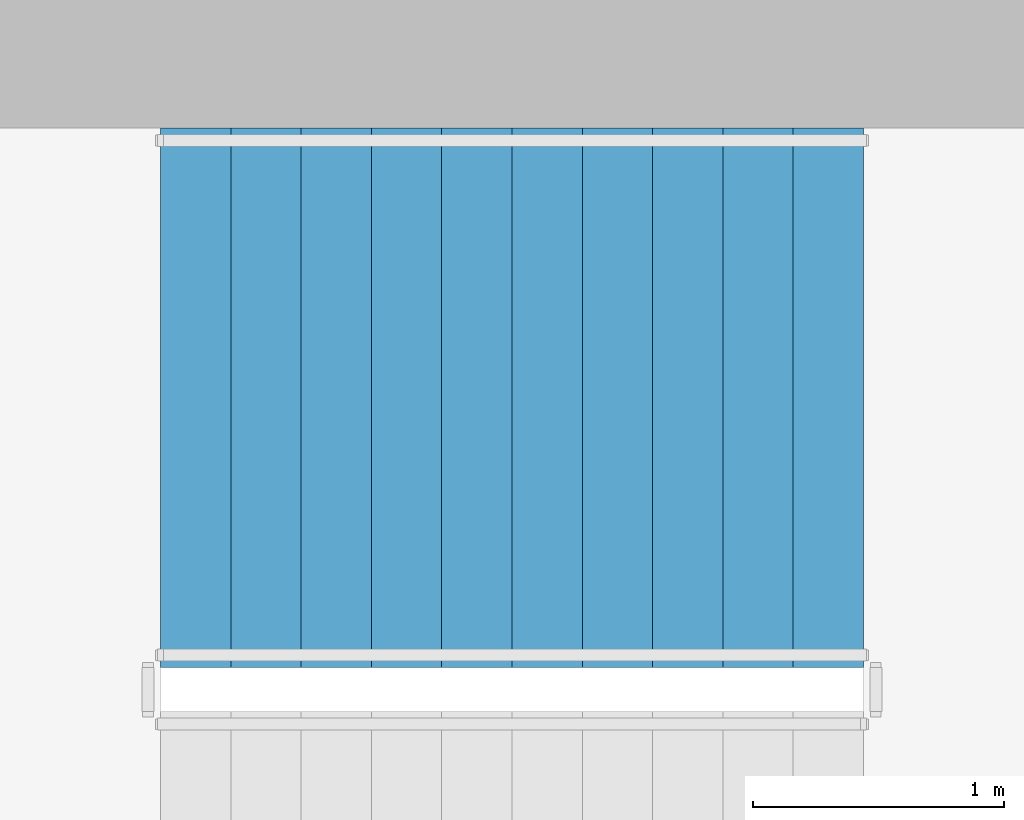
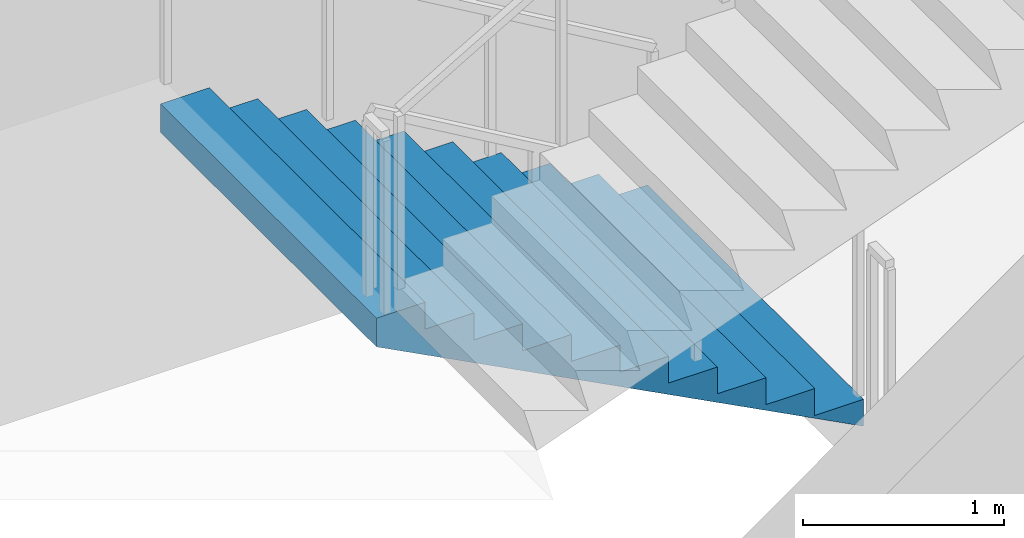
# One storey, part 12 of 20: 1 stair flight, 1 element without a shape of its own.
"""IFC4 building model written with IfcOpenShell, lengths in metres."""

from ifc_helpers import new_model, si_unit, direction, frame, origin, place, context, subcontext, project, spatial, triangles, material, type_object, element, aggregate, save


model = new_model("IFC4")

# Units and contexts
model_context = context("Model", 3, precision=1e-05, world=origin(), true_north=direction((0.0, 1.0)))
body_context = subcontext(model_context, "Body", "Model", "MODEL_VIEW")
ifc_project = project(units=[si_unit("LENGTHUNIT", "METRE"), si_unit("AREAUNIT", "SQUARE_METRE"), si_unit("VOLUMEUNIT", "CUBIC_METRE"), si_unit("PLANEANGLEUNIT", "RADIAN"), si_unit("MASSUNIT", "GRAM", prefix="KILO")], contexts=[model_context])

# Site, building, storey
site_placement = place(None, origin())
site = spatial("IfcSite", under=ifc_project, at=site_placement, CompositionType="ELEMENT")
building_placement = place(site_placement, origin())
building = spatial("IfcBuilding", under=site, at=building_placement, Name="Cypress Arch Tower", CompositionType="ELEMENT")
storey_placement = place(building_placement, frame((0.0, 0.0, 120.300048828125)))
storey = spatial("IfcBuildingStorey", under=building, at=storey_placement, Name="L25", CompositionType="ELEMENT", Elevation=120.300048828125)

# Stair, stair flight
ifc_material_1 = material(Name="Concrete C40/50", Category="concrete")
stair_type = type_object("IfcStairType", Name="Exit stair ES1636-215", PredefinedType="HALF_TURN_STAIR", material=ifc_material_1)
stair_placement = place(storey_placement, origin())
stair = element("IfcStair", 1, at=stair_placement, inside=storey, type_object=stair_type, Name="L25 Exit stair B", PredefinedType="HALF_TURN_STAIR")
ifc_material_2 = material(Name="Concrete C40/50", Category="concrete")
stair_flight_type = type_object("IfcStairFlightType", Name="Exit stair flight ES1636-215", PredefinedType="STRAIGHT", material=ifc_material_2)
stair_flight_placement = place(storey_placement, frame((-22.27490234375, 13.72509765625, 0.0), z_axis=(0.0, 0.0, 1.0), x_axis=(-1.0, 0.0, 0.0)))
stair_flight = element("IfcStairFlight", 2, at=stair_flight_placement, type_object=stair_flight_type, Name="B flight 1", NumberOfRisers=11, NumberOfTreads=10, PredefinedType="STRAIGHT", RiserHeight=0.163636364, TreadLength=0.28, context=body_context, shape_type="Tessellation", body=[
    triangles([(0.0, -1.074951171875, 0.0), (0.000244140625, -1.074951171875, 0.03271484375), (0.00048828125, -1.074951171875, 0.0654296875), (0.00048828125, -1.074951171875, 0.09814453125), (0.000244140625, -1.074951171875, 0.130859375), (0.0, -1.074951171875, 0.16357421875), (0.280029296875, -1.074951171875, 0.16357421875), (0.280029296875, -1.074951171875, 0.327392578125), (0.56005859375, -1.074951171875, 0.327392578125), (0.56005859375, -1.074951171875, 0.490966796875), (0.840087890625, -1.074951171875, 0.490966796875), (0.840087890625, -1.074951171875, 0.654541015625), (1.1201171875, -1.074951171875, 0.654541015625), (1.1201171875, -1.074951171875, 0.818115234375), (1.39990234375, -1.074951171875, 0.818115234375), (1.39990234375, -1.074951171875, 0.98193359375), (1.679931640625, -1.074951171875, 0.98193359375), (1.679931640625, -1.074951171875, 1.1455078125), (1.9599609375, -1.074951171875, 1.1455078125), (1.9599609375, -1.074951171875, 1.30908203125), (2.239990234375, -1.074951171875, 1.30908203125), (2.239990234375, -1.074951171875, 1.47265625), (2.52001953125, -1.074951171875, 1.47265625), (2.52001953125, -1.074951171875, 1.636474609375), (2.800048828125, -1.074951171875, 1.636474609375), (2.7998046875, -1.074951171875, 1.601806640625), (2.799560546875, -1.074951171875, 1.56689453125), (2.799560546875, -1.074951171875, 1.5322265625), (2.7998046875, -1.074951171875, 1.497314453125), (2.800048828125, -1.074951171875, 1.462646484375), (2.800048828125, 1.074951171875, 1.462646484375), (2.7998046875, 1.074951171875, 1.497314453125), (2.799560546875, 1.074951171875, 1.5322265625), (2.799560546875, 1.074951171875, 1.56689453125), (2.7998046875, 1.074951171875, 1.601806640625), (2.800048828125, 1.074951171875, 1.636474609375), (2.52001953125, 1.074951171875, 1.636474609375), (2.52001953125, 1.074951171875, 1.47265625), (2.239990234375, 1.074951171875, 1.47265625), (2.239990234375, 1.074951171875, 1.30908203125), (1.9599609375, 1.074951171875, 1.30908203125), (1.9599609375, 1.074951171875, 1.1455078125), (1.679931640625, 1.074951171875, 1.1455078125), (1.679931640625, 1.074951171875, 0.98193359375), (1.39990234375, 1.074951171875, 0.98193359375), (1.39990234375, 1.074951171875, 0.818115234375), (1.1201171875, 1.074951171875, 0.818115234375), (1.1201171875, 1.074951171875, 0.654541015625), (0.840087890625, 1.074951171875, 0.654541015625), (0.840087890625, 1.074951171875, 0.490966796875), (0.56005859375, 1.074951171875, 0.490966796875), (0.56005859375, 1.074951171875, 0.327392578125), (0.280029296875, 1.074951171875, 0.327392578125), (0.280029296875, 1.074951171875, 0.16357421875), (0.0, 1.074951171875, 0.16357421875), (0.000244140625, 1.074951171875, 0.130859375), (0.00048828125, 1.074951171875, 0.09814453125), (0.00048828125, 1.074951171875, 0.0654296875), (0.000244140625, 1.074951171875, 0.03271484375), (0.0, 1.074951171875, 0.0), (2.7998046875, 0.0, 1.497314453125), (2.800048828125, 0.0, 1.462646484375), (2.799560546875, 0.0, 1.5322265625), (2.799560546875, 0.0, 1.56689453125), (2.7998046875, 0.0, 1.601806640625), (2.800048828125, 0.0, 1.636474609375), (2.52001953125, 0.0, 1.636474609375), (2.52001953125, 0.0, 1.47265625), (2.239990234375, 0.0, 1.47265625), (2.239990234375, 0.0, 1.30908203125), (1.9599609375, 0.0, 1.30908203125), (1.9599609375, 0.0, 1.1455078125), (1.679931640625, 0.0, 1.1455078125), (1.679931640625, 0.0, 0.98193359375), (1.39990234375, 0.0, 0.98193359375), (1.39990234375, 0.0, 0.818115234375), (1.1201171875, 0.0, 0.818115234375), (1.1201171875, 0.0, 0.654541015625), (0.840087890625, 0.0, 0.654541015625), (0.840087890625, 0.0, 0.490966796875), (0.56005859375, 0.0, 0.490966796875), (0.56005859375, 0.0, 0.327392578125), (0.280029296875, 0.0, 0.327392578125), (0.280029296875, 0.0, 0.16357421875), (0.0, 0.0, 0.16357421875), (0.000244140625, 0.0, 0.130859375), (0.00048828125, 0.0, 0.09814453125), (0.00048828125, 0.0, 0.0654296875), (0.000244140625, 0.0, 0.03271484375), (0.0, 0.0, 0.0)], [[30, 29, 24], [29, 28, 24], [28, 27, 24], [27, 26, 24], [26, 25, 24], [17, 16, 15], [9, 8, 7], [15, 14, 13], [23, 22, 21], [21, 20, 19], [19, 18, 17], [13, 12, 11], [11, 10, 9], [6, 5, 7], [5, 4, 7], [4, 3, 7], [3, 2, 7], [2, 1, 7], [30, 24, 23], [30, 23, 21], [30, 21, 19], [30, 19, 17], [30, 17, 15], [30, 15, 13], [30, 13, 11], [30, 11, 9], [30, 9, 7], [30, 7, 1], [31, 37, 32], [32, 37, 33], [33, 37, 34], [34, 37, 35], [35, 37, 36], [44, 46, 45], [52, 54, 53], [46, 48, 47], [38, 40, 39], [40, 42, 41], [42, 44, 43], [48, 50, 49], [50, 52, 51], [55, 54, 56], [56, 54, 57], [57, 54, 58], [58, 54, 59], [59, 54, 60], [31, 38, 37], [31, 40, 38], [31, 42, 40], [31, 44, 42], [31, 46, 44], [31, 48, 46], [31, 50, 48], [31, 52, 50], [31, 54, 52], [31, 60, 54], [62, 61, 29], [62, 29, 30], [31, 32, 61], [31, 61, 62], [61, 63, 28], [61, 28, 29], [32, 33, 63], [32, 63, 61], [63, 64, 27], [63, 27, 28], [33, 34, 64], [33, 64, 63], [64, 65, 26], [64, 26, 27], [34, 35, 65], [34, 65, 64], [65, 66, 25], [65, 25, 26], [35, 36, 66], [35, 66, 65], [66, 67, 24], [66, 24, 25], [36, 37, 67], [36, 67, 66], [67, 68, 23], [67, 23, 24], [37, 38, 68], [37, 68, 67], [68, 69, 22], [68, 22, 23], [38, 39, 69], [38, 69, 68], [69, 70, 21], [69, 21, 22], [39, 40, 70], [39, 70, 69], [70, 71, 20], [70, 20, 21], [40, 41, 71], [40, 71, 70], [71, 72, 19], [71, 19, 20], [41, 42, 72], [41, 72, 71], [72, 73, 18], [72, 18, 19], [42, 43, 73], [42, 73, 72], [73, 74, 17], [73, 17, 18], [43, 44, 74], [43, 74, 73], [74, 75, 16], [74, 16, 17], [44, 45, 75], [44, 75, 74], [75, 76, 15], [75, 15, 16], [45, 46, 76], [45, 76, 75], [76, 77, 14], [76, 14, 15], [46, 47, 77], [46, 77, 76], [77, 78, 13], [77, 13, 14], [47, 48, 78], [47, 78, 77], [78, 79, 12], [78, 12, 13], [48, 49, 79], [48, 79, 78], [79, 80, 11], [79, 11, 12], [49, 50, 80], [49, 80, 79], [80, 81, 10], [80, 10, 11], [50, 51, 81], [50, 81, 80], [81, 82, 9], [81, 9, 10], [51, 52, 82], [51, 82, 81], [82, 83, 8], [82, 8, 9], [52, 53, 83], [52, 83, 82], [83, 84, 7], [83, 7, 8], [53, 54, 84], [53, 84, 83], [84, 85, 6], [84, 6, 7], [54, 55, 85], [54, 85, 84], [85, 86, 5], [85, 5, 6], [55, 56, 86], [55, 86, 85], [86, 87, 4], [86, 4, 5], [56, 57, 87], [56, 87, 86], [87, 88, 3], [87, 3, 4], [57, 58, 88], [57, 88, 87], [88, 89, 2], [88, 2, 3], [58, 59, 89], [58, 89, 88], [89, 90, 1], [89, 1, 2], [59, 60, 90], [59, 90, 89], [90, 62, 30], [90, 30, 1], [60, 31, 62], [60, 62, 90]], closed=True),
])
aggregate(stair, [stair_flight])

save(model, "model.ifc")
